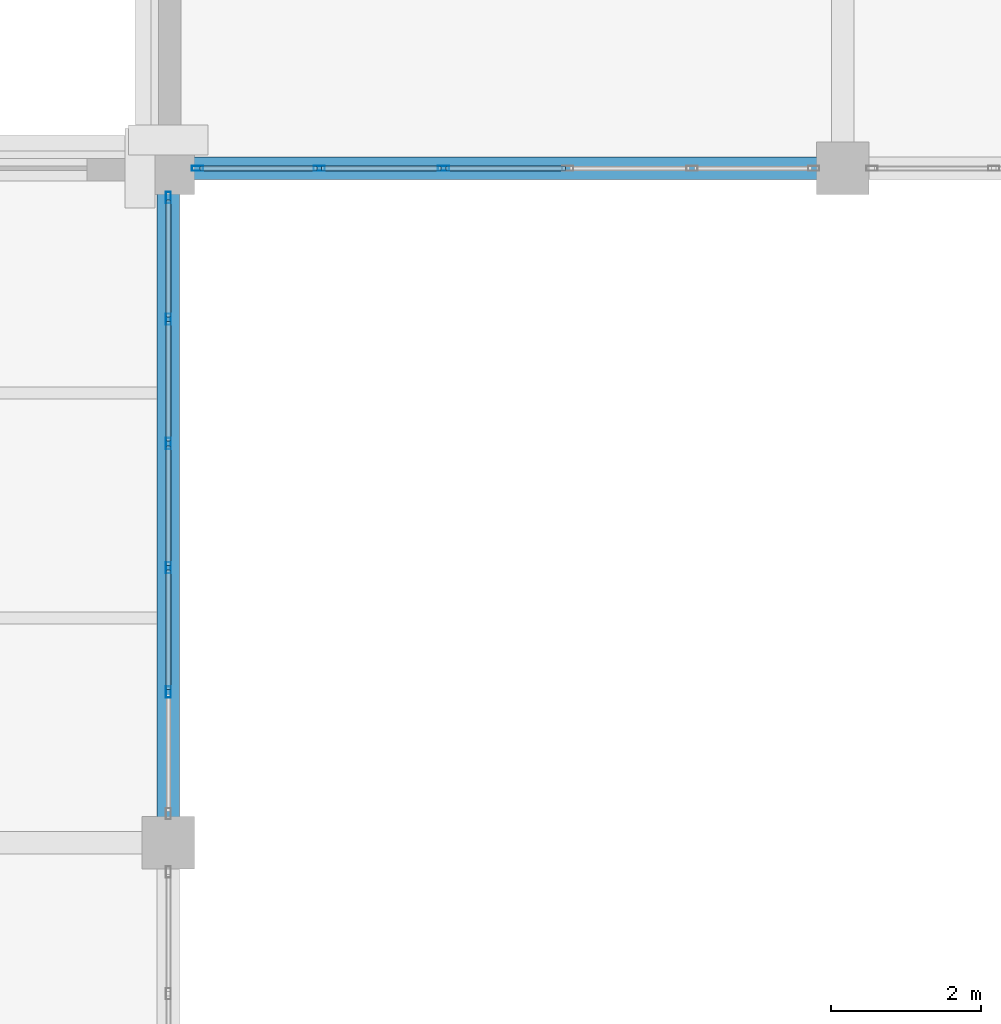
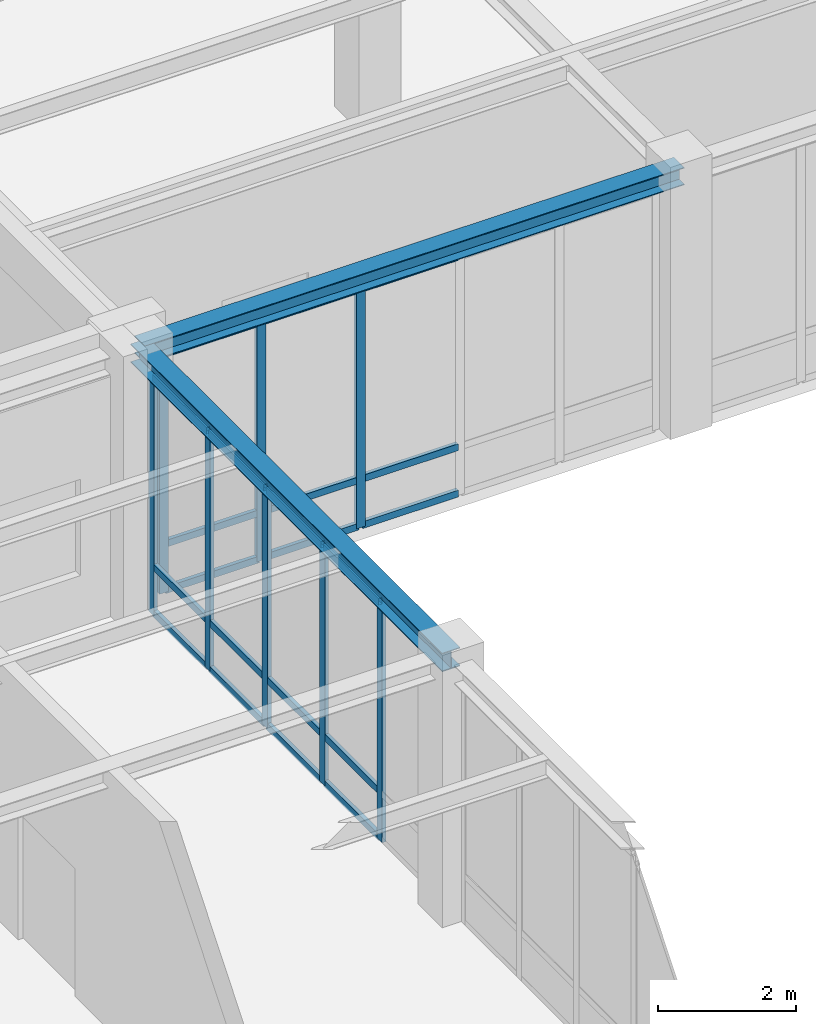
# One storey, part 43 of 98: 29 members, 2 beams, 2 elements without a shape of their own.
"""IFC4 building model written with IfcOpenShell, lengths in metres."""

from ifc_helpers import new_model, si_unit, direction, frame, origin, origin_2d, place, context, subcontext, project, spatial, hollow_rectangle, i_section, extrude, material, material_profile, profile_set, type_object, element, aggregate, save


model = new_model("IFC4")

# Units and contexts
model_context = context("Model", 3, precision=1e-05, world=origin(), true_north=direction((0.0, 1.0)))
body_context = subcontext(model_context, "Body", "Model", "MODEL_VIEW")
ifc_project = project(units=[si_unit("LENGTHUNIT", "METRE"), si_unit("AREAUNIT", "SQUARE_METRE"), si_unit("VOLUMEUNIT", "CUBIC_METRE"), si_unit("PLANEANGLEUNIT", "RADIAN"), si_unit("MASSUNIT", "GRAM", prefix="KILO")], contexts=[model_context])

# Site, building, storey
site_placement = place(None, origin())
site = spatial("IfcSite", under=ifc_project, at=site_placement, CompositionType="ELEMENT")
building_placement = place(site_placement, origin())
building = spatial("IfcBuilding", under=site, at=building_placement, Name="Lykobir Media Centre", CompositionType="ELEMENT")
storey_placement = place(building_placement, frame((0.0, 0.0, 10.199951171875)))
storey = spatial("IfcBuildingStorey", under=building, at=storey_placement, Name="L02", CompositionType="ELEMENT", Elevation=10.199951171875)

# Beam
ifc_material_1 = material(Name="Steel S355", Category="steel")
ifc_material_profile_1 = material_profile(ifc_material_1, i_section(OverallWidth=0.300048828125, OverallDepth=0.330078125, WebThickness=0.009521484375, FlangeThickness=0.0166015625, at=origin_2d()), Name="HEA 340")
ifc_profile_set_1 = profile_set([ifc_material_profile_1], Name="Steel S355")
beam_type_1 = type_object("IfcBeamType", Name="BM-HEA340", PredefinedType="BEAM", material=ifc_profile_set_1)
beam_1_placement = place(storey_placement, frame((99.0, 63.0, 4.39501953125), z_axis=(0.0, 1.0, 0.0), x_axis=(-1.0, 0.0, 0.0)))
element("IfcBeam", 1, at=beam_1_placement, inside=storey, type_object=beam_type_1, Name="Beam BM-L02-0990-0630-0990-0720-1460", PredefinedType="BEAM", context=body_context, shape_type="SweptSolid", body=[
    extrude(i_section(OverallWidth=0.300048828125, OverallDepth=0.330078125, WebThickness=0.009521484375, FlangeThickness=0.0166015625, at=origin_2d()), origin(), (0.0, 0.0, 1.0), 9.0),
])

# Curtain wall, members
ifc_material_2 = material(Name="Anodized Aluminium AW-6060", Category="aluminium")
curtain_wall_type = type_object("IfcCurtainWallType", Name="CW-COURT-A", PredefinedType="NOTDEFINED", material=ifc_material_2)
curtain_wall_1_placement = place(storey_placement, origin())
curtain_wall_1 = element("IfcCurtainWall", 2, at=curtain_wall_1_placement, inside=storey, type_object=curtain_wall_type, Name="Curtain wall CW2-L02-0107", PredefinedType="NOTDEFINED")
ifc_material_profile_2 = material_profile(ifc_material_2, hollow_rectangle(XDim=0.06494140625, YDim=0.14990234375, WallThickness=0.00341796875, at=origin_2d()), Name="ALU MULLION 65x150")
ifc_profile_set_2 = profile_set([ifc_material_profile_2], Name="Anodized Aluminium AW-6060")
member_type_1 = type_object("IfcMemberType", Name="CWM-150", PredefinedType="MULLION", material=ifc_profile_set_2)
member_1_placement = place(storey_placement, frame((99.0, 71.612548828125, 0.0), z_axis=(0.0, 0.0, 1.0), x_axis=(1.0, 0.0, 0.0)))
member_1 = element("IfcMember", 3, at=member_1_placement, type_object=member_type_1, Name="CW2-L02-0107 mullion 1", PredefinedType="MULLION", context=body_context, shape_type="SweptSolid", body=[
    extrude(hollow_rectangle(XDim=0.06494140625, YDim=0.14990234375, WallThickness=0.00341796875, at=origin_2d()), origin(), (0.0, 0.0, 1.0), 4.215087890625),
])
member_2_placement = place(storey_placement, frame((99.0, 69.987060546875, 0.0), z_axis=(0.0, 0.0, 1.0), x_axis=(1.0, 0.0, 0.0)))
member_2 = element("IfcMember", 4, at=member_2_placement, type_object=member_type_1, Name="CW2-L02-0107 mullion 2", PredefinedType="MULLION", context=body_context, shape_type="SweptSolid", body=[
    extrude(hollow_rectangle(XDim=0.06494140625, YDim=0.14990234375, WallThickness=0.00341796875, at=origin_2d()), origin(), (0.0, 0.0, 1.0), 4.215087890625),
])
member_3_placement = place(storey_placement, frame((99.0, 68.3291015625, 0.0), z_axis=(0.0, 0.0, 1.0), x_axis=(1.0, 0.0, 0.0)))
member_3 = element("IfcMember", 5, at=member_3_placement, type_object=member_type_1, Name="CW2-L02-0107 mullion 3", PredefinedType="MULLION", context=body_context, shape_type="SweptSolid", body=[
    extrude(hollow_rectangle(XDim=0.06494140625, YDim=0.14990234375, WallThickness=0.00341796875, at=origin_2d()), origin(), (0.0, 0.0, 1.0), 4.215087890625),
])
member_4_placement = place(storey_placement, frame((99.0, 66.6708984375, 0.0), z_axis=(0.0, 0.0, 1.0), x_axis=(1.0, 0.0, 0.0)))
member_4 = element("IfcMember", 6, at=member_4_placement, type_object=member_type_1, Name="CW2-L02-0107 mullion 4", PredefinedType="MULLION", context=body_context, shape_type="SweptSolid", body=[
    extrude(hollow_rectangle(XDim=0.06494140625, YDim=0.14990234375, WallThickness=0.00341796875, at=origin_2d()), origin(), (0.0, 0.0, 1.0), 4.215087890625),
])
member_5_placement = place(storey_placement, frame((99.0, 65.012939453125, 0.0), z_axis=(0.0, 0.0, 1.0), x_axis=(1.0, 0.0, 0.0)))
member_5 = element("IfcMember", 7, at=member_5_placement, type_object=member_type_1, Name="CW2-L02-0107 mullion 5", PredefinedType="MULLION", context=body_context, shape_type="SweptSolid", body=[
    extrude(hollow_rectangle(XDim=0.06494140625, YDim=0.14990234375, WallThickness=0.00341796875, at=origin_2d()), origin(), (0.0, 0.0, 1.0), 4.215087890625),
])

curtain_wall_2_placement = place(storey_placement, origin())
curtain_wall_2 = element("IfcCurtainWall", 8, at=curtain_wall_2_placement, inside=storey, type_object=curtain_wall_type, Name="Curtain wall CW2-L02-0108", PredefinedType="NOTDEFINED")
member_6_placement = place(storey_placement, frame((102.6708984375, 72.0, 0.0), z_axis=(0.0, 0.0, 1.0), x_axis=(0.0, -1.0, 0.0)))
member_6 = element("IfcMember", 9, at=member_6_placement, type_object=member_type_1, Name="CW2-L02-0108 mullion 4", PredefinedType="MULLION", context=body_context, shape_type="SweptSolid", body=[
    extrude(hollow_rectangle(XDim=0.06494140625, YDim=0.14990234375, WallThickness=0.00341796875, at=origin_2d()), origin(), (0.0, 0.0, 1.0), 4.235107421875),
])
member_7_placement = place(storey_placement, frame((101.012939453125, 72.0, 0.0), z_axis=(0.0, 0.0, 1.0), x_axis=(0.0, -1.0, 0.0)))
member_7 = element("IfcMember", 10, at=member_7_placement, type_object=member_type_1, Name="CW2-L02-0108 mullion 5", PredefinedType="MULLION", context=body_context, shape_type="SweptSolid", body=[
    extrude(hollow_rectangle(XDim=0.06494140625, YDim=0.14990234375, WallThickness=0.00341796875, at=origin_2d()), origin(), (0.0, 0.0, 1.0), 4.235107421875),
])
member_8_placement = place(storey_placement, frame((99.387451171875, 72.0, 0.0), z_axis=(0.0, 0.0, 1.0), x_axis=(0.0, -1.0, 0.0)))
member_8 = element("IfcMember", 11, at=member_8_placement, type_object=member_type_1, Name="CW2-L02-0108 mullion 6", PredefinedType="MULLION", context=body_context, shape_type="SweptSolid", body=[
    extrude(hollow_rectangle(XDim=0.06494140625, YDim=0.14990234375, WallThickness=0.00341796875, at=origin_2d()), origin(), (0.0, 0.0, 1.0), 4.235107421875),
])

# Member
ifc_material_profile_3 = material_profile(ifc_material_2, hollow_rectangle(XDim=0.06494140625, YDim=0.1201171875, WallThickness=0.0029296875, at=origin_2d()), Name="ALU TRANSOM 65x120")
ifc_profile_set_3 = profile_set([ifc_material_profile_3], Name="Anodized Aluminium AW-6060")
member_type_2 = type_object("IfcMemberType", Name="CWT-120", PredefinedType="USERDEFINED", material=ifc_profile_set_3)
member_9_placement = place(storey_placement, frame((99.0, 71.580078125, 0.032470703125), z_axis=(0.0, -1.0, 0.0), x_axis=(1.0, 0.0, 0.0)))
member_9 = element("IfcMember", 12, at=member_9_placement, type_object=member_type_2, Name="CW2-L02-0107 transom 1.1", ObjectType="TRANSOM", PredefinedType="USERDEFINED", context=body_context, shape_type="SweptSolid", body=[
    extrude(hollow_rectangle(XDim=0.06494140625, YDim=0.1201171875, WallThickness=0.0029296875, at=origin_2d()), origin(), (0.0, 0.0, 1.0), 1.560546875),
])

member_10_placement = place(storey_placement, frame((99.0, 71.580078125, 0.85009765625), z_axis=(0.0, -1.0, 0.0), x_axis=(1.0, 0.0, 0.0)))
member_10 = element("IfcMember", 13, at=member_10_placement, type_object=member_type_2, Name="CW2-L02-0107 transom 1.2", ObjectType="TRANSOM", PredefinedType="USERDEFINED", context=body_context, shape_type="SweptSolid", body=[
    extrude(hollow_rectangle(XDim=0.06494140625, YDim=0.1201171875, WallThickness=0.0029296875, at=origin_2d()), origin(), (0.0, 0.0, 1.0), 1.560546875),
])

member_11_placement = place(storey_placement, frame((99.0, 71.580078125, 4.1826171875), z_axis=(0.0, -1.0, 0.0), x_axis=(1.0, 0.0, 0.0)))
member_11 = element("IfcMember", 14, at=member_11_placement, type_object=member_type_2, Name="CW2-L02-0107 transom 1.3", ObjectType="TRANSOM", PredefinedType="USERDEFINED", context=body_context, shape_type="SweptSolid", body=[
    extrude(hollow_rectangle(XDim=0.06494140625, YDim=0.1201171875, WallThickness=0.0029296875, at=origin_2d()), origin(), (0.0, 0.0, 1.0), 1.560546875),
])

member_12_placement = place(storey_placement, frame((99.0, 69.95458984375, 0.032470703125), z_axis=(0.0, -1.0, 0.0), x_axis=(1.0, 0.0, 0.0)))
member_12 = element("IfcMember", 15, at=member_12_placement, type_object=member_type_2, Name="CW2-L02-0107 transom 2.1", ObjectType="TRANSOM", PredefinedType="USERDEFINED", context=body_context, shape_type="SweptSolid", body=[
    extrude(hollow_rectangle(XDim=0.06494140625, YDim=0.1201171875, WallThickness=0.0029296875, at=origin_2d()), origin(), (0.0, 0.0, 1.0), 1.593017578125),
])

member_13_placement = place(storey_placement, frame((99.0, 69.95458984375, 0.85009765625), z_axis=(0.0, -1.0, 0.0), x_axis=(1.0, 0.0, 0.0)))
member_13 = element("IfcMember", 16, at=member_13_placement, type_object=member_type_2, Name="CW2-L02-0107 transom 2.2", ObjectType="TRANSOM", PredefinedType="USERDEFINED", context=body_context, shape_type="SweptSolid", body=[
    extrude(hollow_rectangle(XDim=0.06494140625, YDim=0.1201171875, WallThickness=0.0029296875, at=origin_2d()), origin(), (0.0, 0.0, 1.0), 1.593017578125),
])

member_14_placement = place(storey_placement, frame((99.0, 69.95458984375, 4.1826171875), z_axis=(0.0, -1.0, 0.0), x_axis=(1.0, 0.0, 0.0)))
member_14 = element("IfcMember", 17, at=member_14_placement, type_object=member_type_2, Name="CW2-L02-0107 transom 2.3", ObjectType="TRANSOM", PredefinedType="USERDEFINED", context=body_context, shape_type="SweptSolid", body=[
    extrude(hollow_rectangle(XDim=0.06494140625, YDim=0.1201171875, WallThickness=0.0029296875, at=origin_2d()), origin(), (0.0, 0.0, 1.0), 1.593017578125),
])

member_15_placement = place(storey_placement, frame((99.0, 68.29638671875, 0.032470703125), z_axis=(0.0, -1.0, 0.0), x_axis=(1.0, 0.0, 0.0)))
member_15 = element("IfcMember", 18, at=member_15_placement, type_object=member_type_2, Name="CW2-L02-0107 transom 3.1", ObjectType="TRANSOM", PredefinedType="USERDEFINED", context=body_context, shape_type="SweptSolid", body=[
    extrude(hollow_rectangle(XDim=0.06494140625, YDim=0.1201171875, WallThickness=0.0029296875, at=origin_2d()), origin(), (0.0, 0.0, 1.0), 1.5927734375),
])

member_16_placement = place(storey_placement, frame((99.0, 68.29638671875, 0.85009765625), z_axis=(0.0, -1.0, 0.0), x_axis=(1.0, 0.0, 0.0)))
member_16 = element("IfcMember", 19, at=member_16_placement, type_object=member_type_2, Name="CW2-L02-0107 transom 3.2", ObjectType="TRANSOM", PredefinedType="USERDEFINED", context=body_context, shape_type="SweptSolid", body=[
    extrude(hollow_rectangle(XDim=0.06494140625, YDim=0.1201171875, WallThickness=0.0029296875, at=origin_2d()), origin(), (0.0, 0.0, 1.0), 1.5927734375),
])

member_17_placement = place(storey_placement, frame((99.0, 68.29638671875, 4.1826171875), z_axis=(0.0, -1.0, 0.0), x_axis=(1.0, 0.0, 0.0)))
member_17 = element("IfcMember", 20, at=member_17_placement, type_object=member_type_2, Name="CW2-L02-0107 transom 3.3", ObjectType="TRANSOM", PredefinedType="USERDEFINED", context=body_context, shape_type="SweptSolid", body=[
    extrude(hollow_rectangle(XDim=0.06494140625, YDim=0.1201171875, WallThickness=0.0029296875, at=origin_2d()), origin(), (0.0, 0.0, 1.0), 1.5927734375),
])

member_18_placement = place(storey_placement, frame((99.0, 66.638427734375, 0.032470703125), z_axis=(0.0, -1.0, 0.0), x_axis=(1.0, 0.0, 0.0)))
member_18 = element("IfcMember", 21, at=member_18_placement, type_object=member_type_2, Name="CW2-L02-0107 transom 4.1", ObjectType="TRANSOM", PredefinedType="USERDEFINED", context=body_context, shape_type="SweptSolid", body=[
    extrude(hollow_rectangle(XDim=0.06494140625, YDim=0.1201171875, WallThickness=0.0029296875, at=origin_2d()), origin(), (0.0, 0.0, 1.0), 1.593017578125),
])

member_19_placement = place(storey_placement, frame((99.0, 66.638427734375, 0.85009765625), z_axis=(0.0, -1.0, 0.0), x_axis=(1.0, 0.0, 0.0)))
member_19 = element("IfcMember", 22, at=member_19_placement, type_object=member_type_2, Name="CW2-L02-0107 transom 4.2", ObjectType="TRANSOM", PredefinedType="USERDEFINED", context=body_context, shape_type="SweptSolid", body=[
    extrude(hollow_rectangle(XDim=0.06494140625, YDim=0.1201171875, WallThickness=0.0029296875, at=origin_2d()), origin(), (0.0, 0.0, 1.0), 1.593017578125),
])

member_20_placement = place(storey_placement, frame((99.0, 66.638427734375, 4.1826171875), z_axis=(0.0, -1.0, 0.0), x_axis=(1.0, 0.0, 0.0)))
member_20 = element("IfcMember", 23, at=member_20_placement, type_object=member_type_2, Name="CW2-L02-0107 transom 4.3", ObjectType="TRANSOM", PredefinedType="USERDEFINED", context=body_context, shape_type="SweptSolid", body=[
    extrude(hollow_rectangle(XDim=0.06494140625, YDim=0.1201171875, WallThickness=0.0029296875, at=origin_2d()), origin(), (0.0, 0.0, 1.0), 1.593017578125),
])

aggregate(curtain_wall_1, [member_1, member_2, member_3, member_4, member_5, member_9, member_10, member_11, member_12, member_13, member_14, member_15, member_16, member_17, member_18, member_19, member_20])

member_21_placement = place(storey_placement, frame((104.29638671875, 72.0, 0.032470703125), z_axis=(-1.0, 0.0, 0.0), x_axis=(0.0, -1.0, 0.0)))
member_21 = element("IfcMember", 24, at=member_21_placement, type_object=member_type_2, Name="CW2-L02-0108 transom 3.1", ObjectType="TRANSOM", PredefinedType="USERDEFINED", context=body_context, shape_type="SweptSolid", body=[
    extrude(hollow_rectangle(XDim=0.06494140625, YDim=0.1201171875, WallThickness=0.0029296875, at=origin_2d()), origin(), (0.0, 0.0, 1.0), 1.5927734375),
])

member_22_placement = place(storey_placement, frame((104.29638671875, 72.0, 0.85009765625), z_axis=(-1.0, 0.0, 0.0), x_axis=(0.0, -1.0, 0.0)))
member_22 = element("IfcMember", 25, at=member_22_placement, type_object=member_type_2, Name="CW2-L02-0108 transom 3.2", ObjectType="TRANSOM", PredefinedType="USERDEFINED", context=body_context, shape_type="SweptSolid", body=[
    extrude(hollow_rectangle(XDim=0.06494140625, YDim=0.1201171875, WallThickness=0.0029296875, at=origin_2d()), origin(), (0.0, 0.0, 1.0), 1.5927734375),
])

member_23_placement = place(storey_placement, frame((104.29638671875, 72.0, 4.20263671875), z_axis=(-1.0, 0.0, 0.0), x_axis=(0.0, -1.0, 0.0)))
member_23 = element("IfcMember", 26, at=member_23_placement, type_object=member_type_2, Name="CW2-L02-0108 transom 3.3", ObjectType="TRANSOM", PredefinedType="USERDEFINED", context=body_context, shape_type="SweptSolid", body=[
    extrude(hollow_rectangle(XDim=0.06494140625, YDim=0.1201171875, WallThickness=0.0029296875, at=origin_2d()), origin(), (0.0, 0.0, 1.0), 1.5927734375),
])

member_24_placement = place(storey_placement, frame((102.638427734375, 72.0, 0.032470703125), z_axis=(-1.0, 0.0, 0.0), x_axis=(0.0, -1.0, 0.0)))
member_24 = element("IfcMember", 27, at=member_24_placement, type_object=member_type_2, Name="CW2-L02-0108 transom 4.1", ObjectType="TRANSOM", PredefinedType="USERDEFINED", context=body_context, shape_type="SweptSolid", body=[
    extrude(hollow_rectangle(XDim=0.06494140625, YDim=0.1201171875, WallThickness=0.0029296875, at=origin_2d()), origin(), (0.0, 0.0, 1.0), 1.593017578125),
])

member_25_placement = place(storey_placement, frame((102.638427734375, 72.0, 0.85009765625), z_axis=(-1.0, 0.0, 0.0), x_axis=(0.0, -1.0, 0.0)))
member_25 = element("IfcMember", 28, at=member_25_placement, type_object=member_type_2, Name="CW2-L02-0108 transom 4.2", ObjectType="TRANSOM", PredefinedType="USERDEFINED", context=body_context, shape_type="SweptSolid", body=[
    extrude(hollow_rectangle(XDim=0.06494140625, YDim=0.1201171875, WallThickness=0.0029296875, at=origin_2d()), origin(), (0.0, 0.0, 1.0), 1.593017578125),
])

member_26_placement = place(storey_placement, frame((102.638427734375, 72.0, 4.20263671875), z_axis=(-1.0, 0.0, 0.0), x_axis=(0.0, -1.0, 0.0)))
member_26 = element("IfcMember", 29, at=member_26_placement, type_object=member_type_2, Name="CW2-L02-0108 transom 4.3", ObjectType="TRANSOM", PredefinedType="USERDEFINED", context=body_context, shape_type="SweptSolid", body=[
    extrude(hollow_rectangle(XDim=0.06494140625, YDim=0.1201171875, WallThickness=0.0029296875, at=origin_2d()), origin(), (0.0, 0.0, 1.0), 1.593017578125),
])

member_27_placement = place(storey_placement, frame((100.98046875, 72.0, 0.032470703125), z_axis=(-1.0, 0.0, 0.0), x_axis=(0.0, -1.0, 0.0)))
member_27 = element("IfcMember", 30, at=member_27_placement, type_object=member_type_2, Name="CW2-L02-0108 transom 5.1", ObjectType="TRANSOM", PredefinedType="USERDEFINED", context=body_context, shape_type="SweptSolid", body=[
    extrude(hollow_rectangle(XDim=0.06494140625, YDim=0.1201171875, WallThickness=0.0029296875, at=origin_2d()), origin(), (0.0, 0.0, 1.0), 1.560546875),
])

member_28_placement = place(storey_placement, frame((100.98046875, 72.0, 0.85009765625), z_axis=(-1.0, 0.0, 0.0), x_axis=(0.0, -1.0, 0.0)))
member_28 = element("IfcMember", 31, at=member_28_placement, type_object=member_type_2, Name="CW2-L02-0108 transom 5.2", ObjectType="TRANSOM", PredefinedType="USERDEFINED", context=body_context, shape_type="SweptSolid", body=[
    extrude(hollow_rectangle(XDim=0.06494140625, YDim=0.1201171875, WallThickness=0.0029296875, at=origin_2d()), origin(), (0.0, 0.0, 1.0), 1.560546875),
])

member_29_placement = place(storey_placement, frame((100.98046875, 72.0, 4.20263671875), z_axis=(-1.0, 0.0, 0.0), x_axis=(0.0, -1.0, 0.0)))
member_29 = element("IfcMember", 32, at=member_29_placement, type_object=member_type_2, Name="CW2-L02-0108 transom 5.3", ObjectType="TRANSOM", PredefinedType="USERDEFINED", context=body_context, shape_type="SweptSolid", body=[
    extrude(hollow_rectangle(XDim=0.06494140625, YDim=0.1201171875, WallThickness=0.0029296875, at=origin_2d()), origin(), (0.0, 0.0, 1.0), 1.560546875),
])

aggregate(curtain_wall_2, [member_6, member_7, member_8, member_21, member_22, member_23, member_24, member_25, member_26, member_27, member_28, member_29])

# Beam
ifc_material_profile_4 = material_profile(ifc_material_1, i_section(OverallWidth=0.300048828125, OverallDepth=0.31005859375, WebThickness=0.009033203125, FlangeThickness=0.015380859375, at=origin_2d()), Name="HEA 320")
ifc_profile_set_4 = profile_set([ifc_material_profile_4], Name="Steel S355")
beam_type_2 = type_object("IfcBeamType", Name="SP-HEA320", PredefinedType="SPANDREL", material=ifc_profile_set_4)
beam_2_placement = place(storey_placement, frame((99.0, 72.0, 4.405029296875), z_axis=(1.0, 0.0, 0.0), x_axis=(0.0, 1.0, 0.0)))
element("IfcBeam", 33, at=beam_2_placement, inside=storey, type_object=beam_type_2, Name="Beam BM-L02-0990-0720-1080-0720-1460", PredefinedType="SPANDREL", context=body_context, shape_type="SweptSolid", body=[
    extrude(i_section(OverallWidth=0.300048828125, OverallDepth=0.31005859375, WebThickness=0.009033203125, FlangeThickness=0.015380859375, at=origin_2d()), origin(), (0.0, 0.0, 1.0), 9.0),
])

save(model, "model.ifc")
